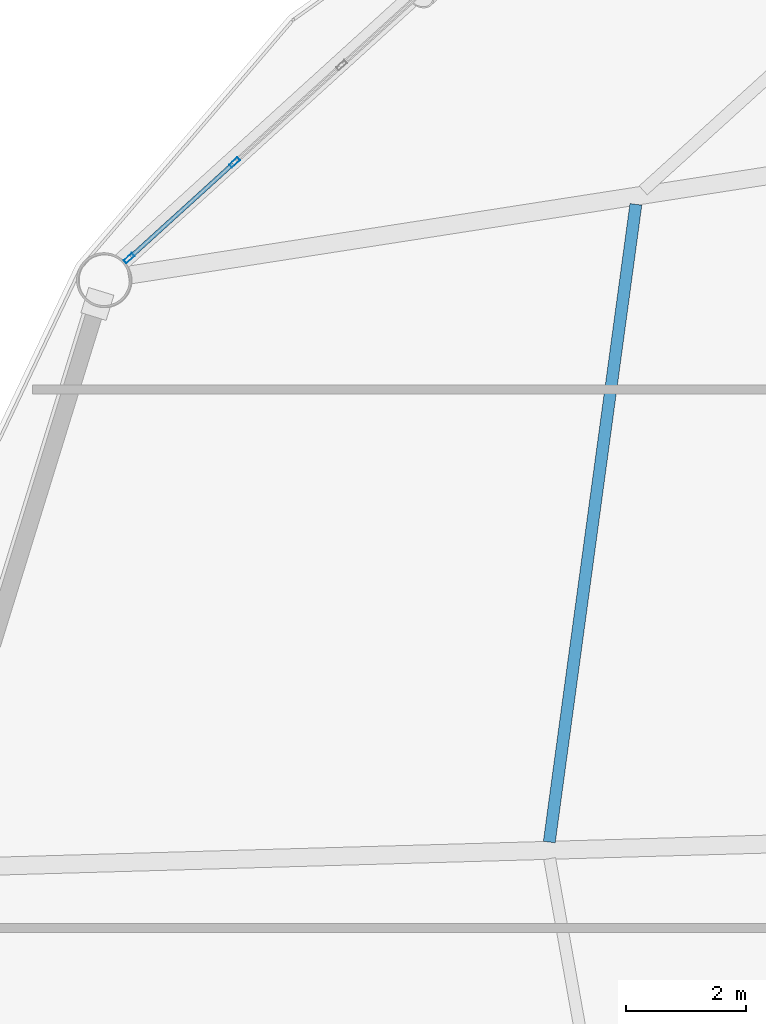
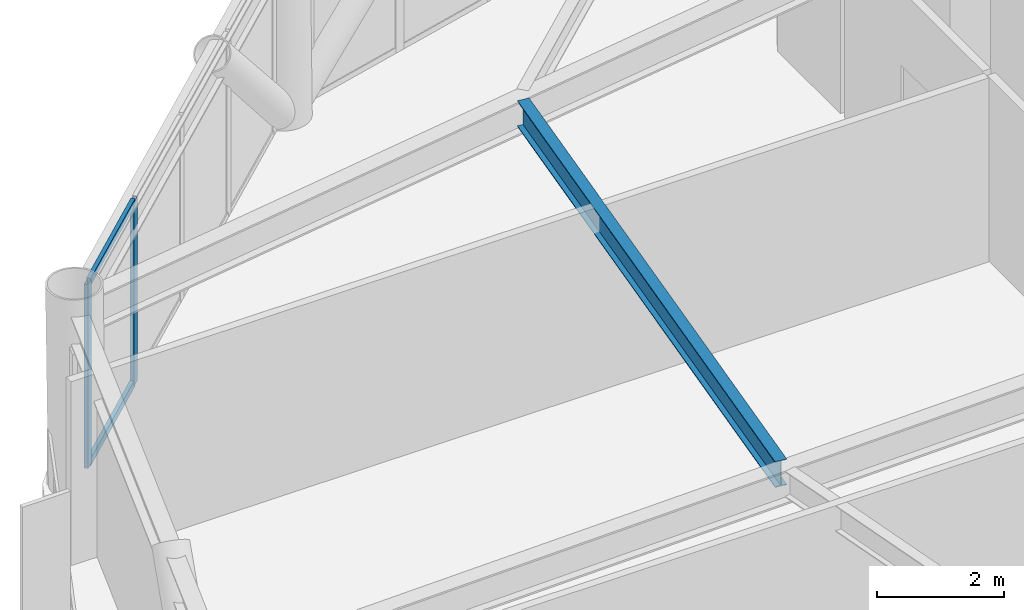
# One storey, part 10 of 25: 4 members, 1 beam, 1 element without a shape of its own.
"""IFC4 building model written with IfcOpenShell, lengths in metres."""

from ifc_helpers import new_model, si_unit, direction, frame, origin, origin_2d, place, context, subcontext, project, spatial, hollow_rectangle, i_section, extrude, material, layer, layer_set, material_profile, profile_set, type_object, element, aggregate, save


model = new_model("IFC4")

# Units and contexts
model_context = context("Model", 3, precision=1e-05, world=origin(), true_north=direction((0.0, 1.0)))
body_context = subcontext(model_context, "Body", "Model", "MODEL_VIEW")
ifc_project = project(units=[si_unit("LENGTHUNIT", "METRE"), si_unit("AREAUNIT", "SQUARE_METRE"), si_unit("VOLUMEUNIT", "CUBIC_METRE"), si_unit("PLANEANGLEUNIT", "RADIAN"), si_unit("MASSUNIT", "GRAM", prefix="KILO")], contexts=[model_context])

# Site, building, storey
site_placement = place(None, origin())
site = spatial("IfcSite", under=ifc_project, at=site_placement, CompositionType="ELEMENT")
building_placement = place(site_placement, origin())
building = spatial("IfcBuilding", under=site, at=building_placement, Name="Varnakorn Sky Granary", CompositionType="ELEMENT")
storey_placement = place(building_placement, frame((0.0, 0.0, 74.39990234375)))
storey = spatial("IfcBuildingStorey", under=building, at=storey_placement, Name="L18", CompositionType="ELEMENT", Elevation=74.39990234375)

# Beam
ifc_material_1 = material(Name="Steel S355JR", Category="steel")
ifc_material_profile_1 = material_profile(ifc_material_1, i_section(OverallWidth=0.199951171875, OverallDepth=0.5, WebThickness=0.01025390625, FlangeThickness=0.01611328125, at=origin_2d()), Name="IPE 500")
ifc_profile_set_1 = profile_set([ifc_material_profile_1], Name="Steel S355JR")
beam_type = type_object("IfcBeamType", Name="BM-SEC-Z1", PredefinedType="BEAM", material=ifc_profile_set_1)
beam_placement = place(storey_placement, frame((-11.35400390625, 11.093994140625, 3.300048828125), z_axis=(-0.134548831892, -0.990906964269, 0.0), x_axis=(0.990906964269, -0.134548831892, 0.0)))
element("IfcBeam", 1, at=beam_placement, inside=storey, type_object=beam_type, Name="Secondary Floor Chord Beam MSB06 L18", PredefinedType="BEAM", context=body_context, shape_type="SweptSolid", body=[
    extrude(i_section(OverallWidth=0.199951171875, OverallDepth=0.5, WebThickness=0.01025390625, FlangeThickness=0.01611328125, at=origin_2d()), origin(), (0.0, 0.0, 1.0), 10.752685546875),
])

# Curtain wall, members
ifc_material_2 = material(Name="Anodised Bronze Aluminium Alloy 6063-T6", Category="aluminium")
ifc_layer = layer(ifc_material_2, 0.18994140625, Name="Anodised Bronze Aluminium Alloy 6063-T6")
ifc_layer_set = layer_set([ifc_layer], Name="Anodised Bronze Aluminium Alloy 6063-T6")
curtain_wall_type = type_object("IfcCurtainWallType", Name="CW-FRM-1", PredefinedType="USERDEFINED", material=ifc_layer_set)
curtain_wall_placement = place(storey_placement, origin())
curtain_wall = element("IfcCurtainWall", 2, at=curtain_wall_placement, inside=storey, type_object=curtain_wall_type, Name="Unitised Curtain Wall CW3 CW-L18-B05", ObjectType="CURTAIN WALL", PredefinedType="USERDEFINED")
ifc_material_profile_2 = material_profile(ifc_material_2, hollow_rectangle(XDim=0.070068359375, YDim=0.18505859375, WallThickness=0.00390625, at=origin_2d()), Name="ALU MULL 70x185")
ifc_profile_set_2 = profile_set([ifc_material_profile_2], Name="Anodised Bronze Aluminium Alloy 6063-T6")
member_type_1 = type_object("IfcMemberType", Name="CW-FRM-1-MULL", PredefinedType="MULLION", material=ifc_profile_set_2)
member_1_placement = place(storey_placement, frame((-19.82080078125, 10.194091796875, 0.0), z_axis=(0.0, 0.0, 1.0), x_axis=(-0.672398130197, 0.740189674683, 0.0)))
member_1 = element("IfcMember", 3, at=member_1_placement, type_object=member_type_1, Name="CW3 mullion 1", PredefinedType="MULLION", context=body_context, shape_type="SweptSolid", body=[
    extrude(hollow_rectangle(XDim=0.070068359375, YDim=0.18505859375, WallThickness=0.00390625, at=origin_2d()), origin(), (0.0, 0.0, 1.0), 3.550048828125),
])
member_2_placement = place(storey_placement, frame((-18.05908203125, 11.79443359375, 0.0), z_axis=(0.0, 0.0, 1.0), x_axis=(-0.672398130197, 0.740189674683, 0.0)))
member_2 = element("IfcMember", 4, at=member_2_placement, type_object=member_type_1, Name="CW3 mullion 2", PredefinedType="MULLION", context=body_context, shape_type="SweptSolid", body=[
    extrude(hollow_rectangle(XDim=0.070068359375, YDim=0.18505859375, WallThickness=0.00390625, at=origin_2d()), origin(), (0.0, 0.0, 1.0), 3.550048828125),
])
ifc_material_profile_3 = material_profile(ifc_material_2, hollow_rectangle(XDim=0.070068359375, YDim=0.139892578125, WallThickness=0.00341796875, at=origin_2d()), Name="ALU TRAN 70x140")
ifc_profile_set_3 = profile_set([ifc_material_profile_3], Name="Anodised Bronze Aluminium Alloy 6063-T6")
member_type_2 = type_object("IfcMemberType", Name="CW-FRM-1-TRAN", PredefinedType="USERDEFINED", material=ifc_profile_set_3)
member_3_placement = place(storey_placement, frame((-19.794921875, 10.2177734375, 0.03515625), z_axis=(0.740217373706, 0.672367637281, 0.0), x_axis=(-0.672367637281, 0.740217373706, 0.0)))
member_3 = element("IfcMember", 5, at=member_3_placement, type_object=member_type_2, Name="CW3 transom 1.1", ObjectType="TRANSOM", PredefinedType="USERDEFINED", context=body_context, shape_type="SweptSolid", body=[
    extrude(hollow_rectangle(XDim=0.070068359375, YDim=0.139892578125, WallThickness=0.00341796875, at=origin_2d()), origin(), (0.0, 0.0, 1.0), 2.31005859375),
])
member_4_placement = place(storey_placement, frame((-19.794921875, 10.2177734375, 3.51513671875), z_axis=(0.740217373706, 0.672367637281, 0.0), x_axis=(-0.672367637281, 0.740217373706, 0.0)))
member_4 = element("IfcMember", 6, at=member_4_placement, type_object=member_type_2, Name="CW3 transom 1.2", ObjectType="TRANSOM", PredefinedType="USERDEFINED", context=body_context, shape_type="SweptSolid", body=[
    extrude(hollow_rectangle(XDim=0.070068359375, YDim=0.139892578125, WallThickness=0.00341796875, at=origin_2d()), origin(), (0.0, 0.0, 1.0), 2.31005859375),
])
aggregate(curtain_wall, [member_1, member_2, member_3, member_4])

save(model, "model.ifc")
